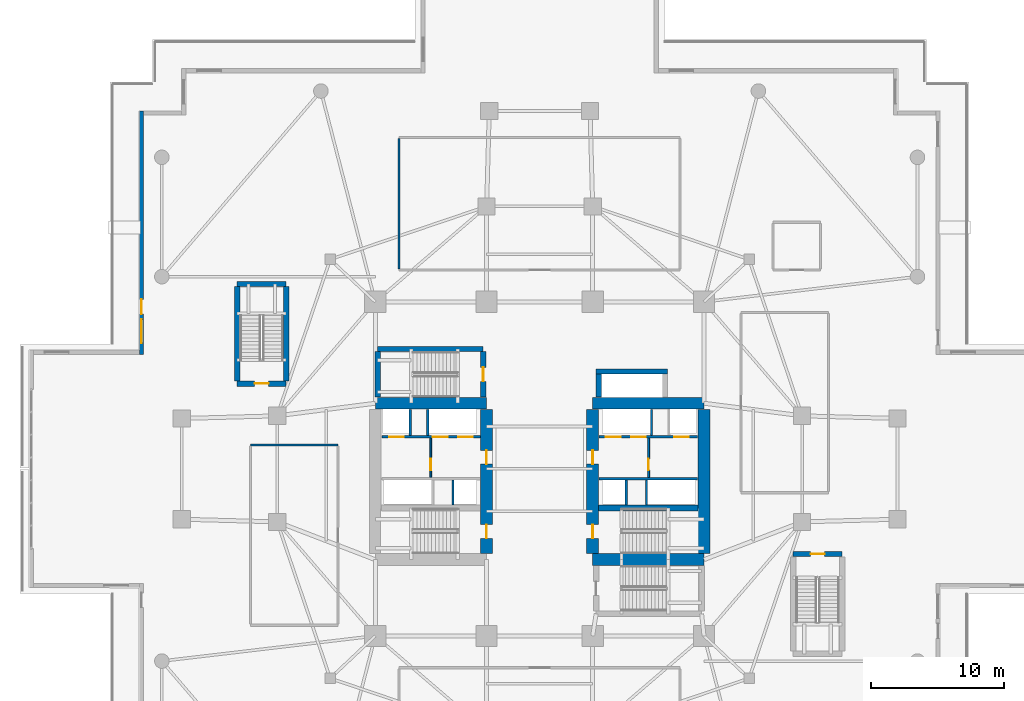
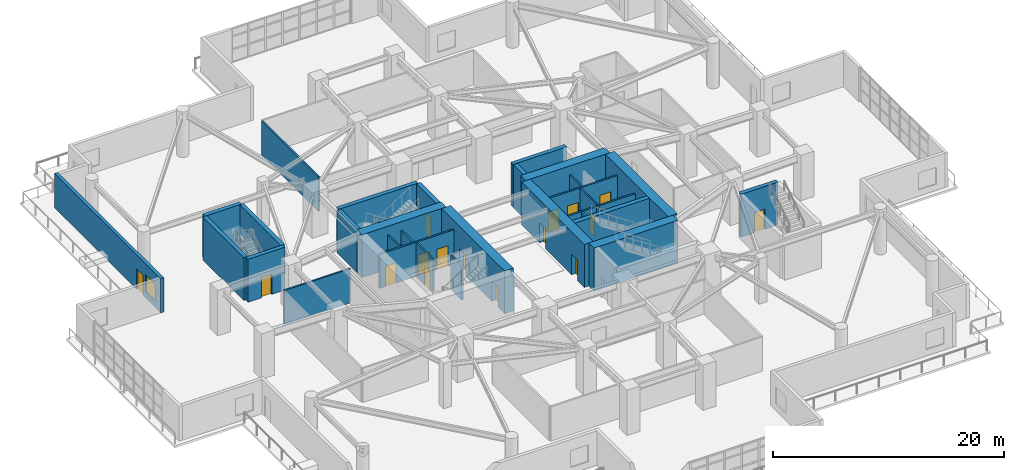
# One storey, part 14 of 23: 31 walls, 16 doors, 1 window, 17 openings.
"""IFC4 building model written with IfcOpenShell, lengths in metres."""

from ifc_helpers import new_model, si_unit, direction, frame, frame_2d, origin, place, context, subcontext, project, spatial, rectangle, extrude, material, layer, layer_set, type_object, element, fill, save


model = new_model("IFC4")

# Units and contexts
model_context = context("Model", 3, precision=1e-05, world=origin(), true_north=direction((0.0, 1.0)))
body_context = subcontext(model_context, "Body", "Model", "MODEL_VIEW")
ifc_project = project(units=[si_unit("LENGTHUNIT", "METRE"), si_unit("AREAUNIT", "SQUARE_METRE"), si_unit("VOLUMEUNIT", "CUBIC_METRE"), si_unit("PLANEANGLEUNIT", "RADIAN"), si_unit("MASSUNIT", "GRAM", prefix="KILO")], contexts=[model_context])

# Site, building, storey
site_placement = place(None, origin())
site = spatial("IfcSite", under=ifc_project, at=site_placement, CompositionType="ELEMENT")
building_placement = place(site_placement, origin())
building = spatial("IfcBuilding", under=site, at=building_placement, Name="Qingluan Cross Belvedere", CompositionType="ELEMENT")
storey_placement = place(building_placement, frame((0.0, 0.0, 5.39990234375)))
storey = spatial("IfcBuildingStorey", under=building, at=storey_placement, Name="L02", CompositionType="ELEMENT", Elevation=5.39990234375)

# Walls
ifc_material_1 = material(Name="Concrete C50", Category="concrete")
ifc_layer_1 = layer(ifc_material_1, 0.449951171875, Name="CoreShearWall_450")
ifc_layer_set_1 = layer_set([ifc_layer_1], Name="Concrete C50")
wall_type_1 = type_object("IfcWallType", Name="CoreShearWall_450", PredefinedType="SHEAR", material=ifc_layer_set_1)
wall_1_placement = place(storey_placement, frame((4.455078125, -2.9599609375, 0.0), z_axis=(0.0, 0.0, 1.0), x_axis=(1.0, 0.0, 0.0)))
element("IfcWall", 1, at=wall_1_placement, inside=storey, type_object=wall_type_1, Name="Split core E shear wall L02-M", PredefinedType="SHEAR", context=body_context, shape_type="SweptSolid", body=[
    extrude(rectangle(XDim=7.489990234375, YDim=0.449951171875, at=frame_2d((3.7451171875, 0.0))), origin(), (0.0, 0.0, 1.0), 4.550048828125),
])
wall_2_placement = place(storey_placement, frame((-12.219970703125, 9.0400390625, 0.0), z_axis=(0.0, 0.0, 1.0), x_axis=(1.0, 0.0, 0.0)))
element("IfcWall", 2, at=wall_2_placement, inside=storey, type_object=wall_type_1, Name="Stair ST3 structural wall N L02", PredefinedType="SHEAR", context=body_context, shape_type="SweptSolid", body=[
    extrude(rectangle(XDim=7.9599609375, YDim=0.39990234375, at=frame_2d((3.97998046875, 0.0))), origin(), (0.0, 0.0, 1.0), 4.550048828125),
])
wall_3_placement = place(storey_placement, frame((-12.219970703125, 5.405029296875, 0.0), z_axis=(0.0, 0.0, 1.0), x_axis=(0.0, 1.0, 0.0)))
element("IfcWall", 3, at=wall_3_placement, inside=storey, type_object=wall_type_1, Name="Stair ST3 structural wall W L02", PredefinedType="SHEAR", context=body_context, shape_type="SweptSolid", body=[
    extrude(rectangle(XDim=3.429931640625, YDim=0.39990234375, at=frame_2d((1.71484375, 0.0))), origin(), (0.0, 0.0, 1.0), 4.550048828125),
])

# Wall, opening, door
wall_4_placement = place(storey_placement, frame((-4.260009765625, 5.405029296875, 0.0), z_axis=(0.0, 0.0, 1.0), x_axis=(0.0, 1.0, 0.0)))
wall_4 = element("IfcWall", 4, at=wall_4_placement, inside=storey, type_object=wall_type_1, Name="Stair ST3 structural wall E L02", PredefinedType="SHEAR", context=body_context, shape_type="SweptSolid", body=[
    extrude(rectangle(XDim=3.429931640625, YDim=0.39990234375, at=frame_2d((1.71484375, 0.0))), origin(), (0.0, 0.0, 1.0), 4.550048828125),
])
opening_1_placement = place(wall_4_placement, frame((1.195068359375, 0.0, 0.0)))
opening_1 = element("IfcOpeningElement", 5, at=opening_1_placement, cuts=wall_4, Name="Opening FD-B11", PredefinedType="OPENING", context=body_context, shape_type="SweptSolid", body=[
    extrude(rectangle(XDim=1.050048828125, YDim=2.14990234375, at=frame_2d((0.52490234375, 1.074951171875))), frame((0.0, 0.2099609375, 0.0), z_axis=(0.0, -1.0, 0.0), x_axis=(1.0, 0.0, 0.0)), (0.0, 0.0, 1.0), 0.419921875),
])
ifc_material_2 = material(Name="Steel Class B smoke-seal fire door", Category="steel")
door_type_1 = type_object("IfcDoorType", Name="StairLobbyFireDoor_FDB", OperationType="NOTDEFINED", PredefinedType="DOOR", material=ifc_material_2)
door_1_placement = place(opening_1_placement, origin())
door_1 = element("IfcDoor", 6, at=door_1_placement, inside=storey, type_object=door_type_1, Name="Smoke-proof stair ST3 fire door L02", OperationType="SINGLE_SWING_RIGHT", OverallHeight=2.14990234375, OverallWidth=1.050048828125, PredefinedType="DOOR", context=body_context, shape_type="SweptSolid", body=[
    extrude(rectangle(XDim=1.050048828125, YDim=2.14990234375, at=frame_2d((0.52490234375, 1.074951171875))), frame((0.0, 0.02490234375, 0.0), z_axis=(0.0, -1.0, 0.0), x_axis=(1.0, 0.0, 0.0)), (0.0, 0.0, 1.0), 0.050048828125),
])
fill(opening_1, door_1)

# Wall
wall_5_placement = place(storey_placement, frame((-22.820068359375, 13.949951171875, 0.0), z_axis=(0.0, 0.0, 1.0), x_axis=(1.0, 0.0, 0.0)))
element("IfcWall", 7, at=wall_5_placement, inside=storey, type_object=wall_type_1, Name="Stair ST5 structural wall N L02", PredefinedType="SHEAR", context=body_context, shape_type="SweptSolid", body=[
    extrude(rectangle(XDim=3.699951171875, YDim=0.39990234375, at=frame_2d((1.85009765625, 0.0))), origin(), (0.0, 0.0, 1.0), 4.550048828125),
])

# Wall, opening, door
wall_6_placement = place(storey_placement, frame((-22.820068359375, 6.429931640625, 0.0), z_axis=(0.0, 0.0, 1.0), x_axis=(1.0, 0.0, 0.0)))
wall_6 = element("IfcWall", 8, at=wall_6_placement, inside=storey, type_object=wall_type_1, Name="Stair ST5 structural wall S L02", PredefinedType="SHEAR", context=body_context, shape_type="SweptSolid", body=[
    extrude(rectangle(XDim=3.699951171875, YDim=0.39990234375, at=frame_2d((1.85009765625, 0.0))), origin(), (0.0, 0.0, 1.0), 4.550048828125),
])
opening_2_placement = place(wall_6_placement, frame((1.320068359375, 0.0, 0.0)))
opening_2 = element("IfcOpeningElement", 9, at=opening_2_placement, cuts=wall_6, Name="Opening FD-B11", PredefinedType="OPENING", context=body_context, shape_type="SweptSolid", body=[
    extrude(rectangle(XDim=1.050048828125, YDim=2.14990234375, at=frame_2d((0.52490234375, 1.074951171875))), frame((0.0, 0.2099609375, 0.0), z_axis=(0.0, -1.0, 0.0), x_axis=(1.0, 0.0, 0.0)), (0.0, 0.0, 1.0), 0.419921875),
])
door_2_placement = place(opening_2_placement, origin())
door_2 = element("IfcDoor", 10, at=door_2_placement, inside=storey, type_object=door_type_1, Name="Podium stair ST5 smoke-proof fire door L02", OperationType="SINGLE_SWING_RIGHT", OverallHeight=2.14990234375, OverallWidth=1.050048828125, PredefinedType="DOOR", context=body_context, shape_type="SweptSolid", body=[
    extrude(rectangle(XDim=1.050048828125, YDim=2.14990234375, at=frame_2d((0.52490234375, 1.074951171875))), frame((0.0, 0.02490234375, 0.0), z_axis=(0.0, -1.0, 0.0), x_axis=(1.0, 0.0, 0.0)), (0.0, 0.0, 1.0), 0.050048828125),
])
fill(opening_2, door_2)

# Walls
for number, where, z_axis, x_axis, name in (
    (11, (-22.820068359375, 6.635009765625, 0.0), (0.0, 0.0, 1.0), (0.0, 1.0, 0.0), "Stair ST5 structural wall W L02"),
    (12, (-19.1201171875, 6.635009765625, 0.0), (0.0, 0.0, 1.0), (0.0, 1.0, 0.0), "Stair ST5 structural wall E L02"),
):
    element("IfcWall", number, at=place(storey_placement, frame(where, z_axis=z_axis, x_axis=x_axis)), inside=storey, type_object=wall_type_1, Name=name, PredefinedType="SHEAR", context=body_context, shape_type="SweptSolid", body=[
        extrude(rectangle(XDim=7.110107421875, YDim=0.39990234375, at=frame_2d((3.55517578125, 0.0))), origin(), (0.0, 0.0, 1.0), 4.550048828125),
    ])

# Wall, opening, door
wall_7_placement = place(storey_placement, frame((19.1201171875, -6.429931640625, 0.0), z_axis=(0.0, 0.0, 1.0), x_axis=(1.0, 0.0, 0.0)))
wall_7 = element("IfcWall", 13, at=wall_7_placement, inside=storey, type_object=wall_type_1, Name="Stair ST6 structural wall N L02", PredefinedType="SHEAR", context=body_context, shape_type="SweptSolid", body=[
    extrude(rectangle(XDim=3.699951171875, YDim=0.39990234375, at=frame_2d((1.85009765625, 0.0))), origin(), (0.0, 0.0, 1.0), 4.550048828125),
])
opening_3_placement = place(wall_7_placement, frame((1.330078125, 0.0, 0.0)))
opening_3 = element("IfcOpeningElement", 14, at=opening_3_placement, cuts=wall_7, Name="Opening FD-B11", PredefinedType="OPENING", context=body_context, shape_type="SweptSolid", body=[
    extrude(rectangle(XDim=1.050048828125, YDim=2.14990234375, at=frame_2d((0.52490234375, 1.074951171875))), frame((0.0, 0.2099609375, 0.0), z_axis=(0.0, -1.0, 0.0), x_axis=(1.0, 0.0, 0.0)), (0.0, 0.0, 1.0), 0.419921875),
])
door_3_placement = place(opening_3_placement, origin())
door_3 = element("IfcDoor", 15, at=door_3_placement, inside=storey, type_object=door_type_1, Name="Podium stair ST6 smoke-proof fire door L02", OperationType="SINGLE_SWING_LEFT", OverallHeight=2.14990234375, OverallWidth=1.050048828125, PredefinedType="DOOR", context=body_context, shape_type="SweptSolid", body=[
    extrude(rectangle(XDim=1.050048828125, YDim=2.14990234375, at=frame_2d((0.52490234375, 1.074951171875))), frame((0.0, 0.02490234375, 0.0), z_axis=(0.0, -1.0, 0.0), x_axis=(1.0, 0.0, 0.0)), (0.0, 0.0, 1.0), 0.050048828125),
])
fill(opening_3, door_3)

# Walls
wall_8_placement = place(storey_placement, frame((4.449951171875, 5.405029296875, 0.0), z_axis=(0.0, 0.0, 1.0), x_axis=(0.0, 1.0, 0.0)))
element("IfcWall", 16, at=wall_8_placement, inside=storey, type_object=wall_type_1, Name="Express shuttle core wall L02-W", PredefinedType="SHEAR", context=body_context, shape_type="SweptSolid", body=[
    extrude(rectangle(XDim=1.73486328125, YDim=0.39990234375, at=frame_2d((0.867431640625, 0.0))), origin(), (0.0, 0.0, 1.0), 4.550048828125),
])
wall_9_placement = place(storey_placement, frame((4.25, 7.35009765625, 0.0), z_axis=(0.0, 0.0, 1.0), x_axis=(1.0, 0.0, 0.0)))
element("IfcWall", 17, at=wall_9_placement, inside=storey, type_object=wall_type_1, Name="Express shuttle core wall L02-N", PredefinedType="SHEAR", context=body_context, shape_type="SweptSolid", body=[
    extrude(rectangle(XDim=5.39990234375, YDim=0.39990234375, at=frame_2d((2.699951171875, 0.0))), origin(), (0.0, 0.0, 1.0), 4.550048828125),
])
ifc_material_3 = material(Name="Concrete C70", Category="concrete")
ifc_layer_2 = layer(ifc_material_3, 0.89990234375, Name="CoreShearWall_900")
ifc_layer_set_2 = layer_set([ifc_layer_2], Name="Concrete C70")
wall_type_2 = type_object("IfcWallType", Name="CoreShearWall_900", PredefinedType="SHEAR", material=ifc_layer_set_2)
wall_10_placement = place(storey_placement, frame((-12.39990234375, 4.949951171875, 0.0), z_axis=(0.0, 0.0, 1.0), x_axis=(1.0, 0.0, 0.0)))
element("IfcWall", 18, at=wall_10_placement, inside=storey, type_object=wall_type_2, Name="Split core W shear wall L02-N", PredefinedType="SHEAR", context=body_context, shape_type="SweptSolid", body=[
    extrude(rectangle(XDim=8.39990234375, YDim=0.89990234375, at=frame_2d((4.199951171875, 0.0))), origin(), (0.0, 0.0, 1.0), 4.550048828125),
])

# Wall, openings, doors
wall_11_placement = place(storey_placement, frame((-4.0, -6.39501953125, 0.0), z_axis=(0.0, 0.0, 1.0), x_axis=(0.0, 1.0, 0.0)))
wall_11 = element("IfcWall", 19, at=wall_11_placement, inside=storey, type_object=wall_type_2, Name="Split core W shear wall L02-E", PredefinedType="SHEAR", context=body_context, shape_type="SweptSolid", body=[
    extrude(rectangle(XDim=10.89013671875, YDim=0.89990234375, at=frame_2d((5.445068359375, 0.0))), origin(), (0.0, 0.0, 1.0), 4.550048828125),
])
opening_4_placement = place(wall_11_placement, frame((1.14501953125, 0.0, 0.0)))
opening_4 = element("IfcOpeningElement", 20, at=opening_4_placement, cuts=wall_11, Name="Opening FD-B11", PredefinedType="OPENING", context=body_context, shape_type="SweptSolid", body=[
    extrude(rectangle(XDim=1.050048828125, YDim=2.14990234375, at=frame_2d((0.52490234375, 1.074951171875))), frame((0.0, 0.4599609375, 0.0), z_axis=(0.0, -1.0, 0.0), x_axis=(1.0, 0.0, 0.0)), (0.0, 0.0, 1.0), 0.919921875),
])
opening_5_placement = place(wall_11_placement, frame((6.7451171875, 0.0, 0.0)))
opening_5 = element("IfcOpeningElement", 21, at=opening_5_placement, cuts=wall_11, Name="Opening FD-B11", PredefinedType="OPENING", context=body_context, shape_type="SweptSolid", body=[
    extrude(rectangle(XDim=1.050048828125, YDim=2.14990234375, at=frame_2d((0.52490234375, 1.074951171875))), frame((0.0, 0.4599609375, 0.0), z_axis=(0.0, -1.0, 0.0), x_axis=(1.0, 0.0, 0.0)), (0.0, 0.0, 1.0), 0.919921875),
])
door_4_placement = place(opening_4_placement, origin())
door_4 = element("IfcDoor", 22, at=door_4_placement, inside=storey, type_object=door_type_1, Name="Smoke-proof stair ST1 fire door L02", OperationType="SINGLE_SWING_RIGHT", OverallHeight=2.14990234375, OverallWidth=1.050048828125, PredefinedType="DOOR", context=body_context, shape_type="SweptSolid", body=[
    extrude(rectangle(XDim=1.050048828125, YDim=2.14990234375, at=frame_2d((0.52490234375, 1.074951171875))), frame((0.0, 0.02490234375, 0.0), z_axis=(0.0, -1.0, 0.0), x_axis=(1.0, 0.0, 0.0)), (0.0, 0.0, 1.0), 0.050048828125),
])
fill(opening_4, door_4)
door_5_placement = place(opening_5_placement, origin())
door_5 = element("IfcDoor", 23, at=door_5_placement, inside=storey, type_object=door_type_1, Name="Firefighting lobby West fire door L02", OperationType="SINGLE_SWING_RIGHT", OverallHeight=2.14990234375, OverallWidth=1.050048828125, PredefinedType="DOOR", context=body_context, shape_type="SweptSolid", body=[
    extrude(rectangle(XDim=1.050048828125, YDim=2.14990234375, at=frame_2d((0.52490234375, 1.074951171875))), frame((0.0, 0.02490234375, 0.0), z_axis=(0.0, -1.0, 0.0), x_axis=(1.0, 0.0, 0.0)), (0.0, 0.0, 1.0), 0.050048828125),
])
fill(opening_5, door_5)

# Walls
for number, where, z_axis, x_axis, name in (
    (24, (4.0, -6.85009765625, 0.0), (0.0, 0.0, 1.0), (1.0, 0.0, 0.0), "Split core E shear wall L02-S"),
    (25, (4.0, 4.949951171875, 0.0), (0.0, 0.0, 1.0), (1.0, 0.0, 0.0), "Split core E shear wall L02-N"),
):
    element("IfcWall", number, at=place(storey_placement, frame(where, z_axis=z_axis, x_axis=x_axis)), inside=storey, type_object=wall_type_2, Name=name, PredefinedType="SHEAR", context=body_context, shape_type="SweptSolid", body=[
        extrude(rectangle(XDim=8.39990234375, YDim=0.89990234375, at=frame_2d((4.199951171875, 0.0))), origin(), (0.0, 0.0, 1.0), 4.550048828125),
    ])

# Wall, openings, doors
wall_12_placement = place(storey_placement, frame((4.0, -6.39501953125, 0.0), z_axis=(0.0, 0.0, 1.0), x_axis=(0.0, 1.0, 0.0)))
wall_12 = element("IfcWall", 26, at=wall_12_placement, inside=storey, type_object=wall_type_2, Name="Split core E shear wall L02-W", PredefinedType="SHEAR", context=body_context, shape_type="SweptSolid", body=[
    extrude(rectangle(XDim=10.89013671875, YDim=0.89990234375, at=frame_2d((5.445068359375, 0.0))), origin(), (0.0, 0.0, 1.0), 4.550048828125),
])
opening_6_placement = place(wall_12_placement, frame((1.14501953125, 0.0, 0.0)))
opening_6 = element("IfcOpeningElement", 27, at=opening_6_placement, cuts=wall_12, Name="Opening FD-B11", PredefinedType="OPENING", context=body_context, shape_type="SweptSolid", body=[
    extrude(rectangle(XDim=1.050048828125, YDim=2.14990234375, at=frame_2d((0.52490234375, 1.074951171875))), frame((0.0, 0.4599609375, 0.0), z_axis=(0.0, -1.0, 0.0), x_axis=(1.0, 0.0, 0.0)), (0.0, 0.0, 1.0), 0.919921875),
])
opening_7_placement = place(wall_12_placement, frame((6.7451171875, 0.0, 0.0)))
opening_7 = element("IfcOpeningElement", 28, at=opening_7_placement, cuts=wall_12, Name="Opening FD-B11", PredefinedType="OPENING", context=body_context, shape_type="SweptSolid", body=[
    extrude(rectangle(XDim=1.050048828125, YDim=2.14990234375, at=frame_2d((0.52490234375, 1.074951171875))), frame((0.0, 0.4599609375, 0.0), z_axis=(0.0, -1.0, 0.0), x_axis=(1.0, 0.0, 0.0)), (0.0, 0.0, 1.0), 0.919921875),
])
door_6_placement = place(opening_6_placement, origin())
door_6 = element("IfcDoor", 29, at=door_6_placement, inside=storey, type_object=door_type_1, Name="Smoke-proof stair ST2 fire door L02", OperationType="SINGLE_SWING_LEFT", OverallHeight=2.14990234375, OverallWidth=1.050048828125, PredefinedType="DOOR", context=body_context, shape_type="SweptSolid", body=[
    extrude(rectangle(XDim=1.050048828125, YDim=2.14990234375, at=frame_2d((0.52490234375, 1.074951171875))), frame((0.0, 0.02490234375, 0.0), z_axis=(0.0, -1.0, 0.0), x_axis=(1.0, 0.0, 0.0)), (0.0, 0.0, 1.0), 0.050048828125),
])
fill(opening_6, door_6)
door_7_placement = place(opening_7_placement, origin())
door_7 = element("IfcDoor", 30, at=door_7_placement, inside=storey, type_object=door_type_1, Name="Firefighting lobby East fire door L02", OperationType="SINGLE_SWING_LEFT", OverallHeight=2.14990234375, OverallWidth=1.050048828125, PredefinedType="DOOR", context=body_context, shape_type="SweptSolid", body=[
    extrude(rectangle(XDim=1.050048828125, YDim=2.14990234375, at=frame_2d((0.52490234375, 1.074951171875))), frame((0.0, 0.02490234375, 0.0), z_axis=(0.0, -1.0, 0.0), x_axis=(1.0, 0.0, 0.0)), (0.0, 0.0, 1.0), 0.050048828125),
])
fill(opening_7, door_7)

# Walls
wall_13_placement = place(storey_placement, frame((12.39990234375, -6.39501953125, 0.0), z_axis=(0.0, 0.0, 1.0), x_axis=(0.0, 1.0, 0.0)))
element("IfcWall", 31, at=wall_13_placement, inside=storey, type_object=wall_type_2, Name="Split core E shear wall L02-E", PredefinedType="SHEAR", context=body_context, shape_type="SweptSolid", body=[
    extrude(rectangle(XDim=10.89013671875, YDim=0.89990234375, at=frame_2d((5.445068359375, 0.0))), origin(), (0.0, 0.0, 1.0), 4.550048828125),
])
ifc_material_4 = material(Name="Gypsum plasterboard on steel stud acoustic partition", Category="steel")
ifc_layer_3 = layer(ifc_material_4, 0.159912109375, Name="CorridorPartition_160")
ifc_layer_set_3 = layer_set([ifc_layer_3], Name="Gypsum plasterboard on steel stud acoustic partition")
wall_type_3 = type_object("IfcWallType", Name="CorridorPartition_160", PredefinedType="PARTITIONING", material=ifc_layer_set_3)
wall_14_placement = place(storey_placement, frame((-10.60009765625, 15.0849609375, 0.0), z_axis=(0.0, 0.0, 1.0), x_axis=(0.0, 1.0, 0.0)))
element("IfcWall", 32, at=wall_14_placement, inside=storey, type_object=wall_type_3, Name="Partition L02:pod_n:W", PredefinedType="PARTITIONING", context=body_context, shape_type="SweptSolid", body=[
    extrude(rectangle(XDim=9.830078125, YDim=0.159912109375, at=frame_2d((4.9150390625, 0.0))), origin(), (0.0, 0.0, 1.0), 3.6201171875),
])
wall_15_placement = place(storey_placement, frame((-21.800048828125, 1.800048828125, 0.0), z_axis=(0.0, 0.0, 1.0), x_axis=(1.0, 0.0, 0.0)))
element("IfcWall", 33, at=wall_15_placement, inside=storey, type_object=wall_type_3, Name="Partition L02:pod_w:N", PredefinedType="PARTITIONING", context=body_context, shape_type="SweptSolid", body=[
    extrude(rectangle(XDim=6.60009765625, YDim=0.159912109375, at=frame_2d((3.300048828125, 0.0))), origin(), (0.0, 0.0, 1.0), 3.6201171875),
])

# Wall, openings, window, door
ifc_material_5 = material(Name="Precast concrete C45", Category="concrete")
ifc_layer_4 = layer(ifc_material_5, 0.320068359375, Name="PrecastPodiumWall_320")
ifc_layer_set_4 = layer_set([ifc_layer_4], Name="Precast concrete C45")
wall_type_4 = type_object("IfcWallType", Name="PrecastPodiumWall_320", PredefinedType="STANDARD", material=ifc_layer_set_4)
wall_16_placement = place(storey_placement, frame((-30.0400390625, 8.6298828125, 0.0), z_axis=(0.0, 0.0, 1.0), x_axis=(0.0, 1.0, 0.0)))
wall_16 = element("IfcWall", 34, at=wall_16_placement, inside=storey, type_object=wall_type_4, Name="Podium precast facade wall L02-S14", PredefinedType="STANDARD", context=body_context, shape_type="SweptSolid", body=[
    extrude(rectangle(XDim=18.3701171875, YDim=0.320068359375, at=frame_2d((9.18505859375, 0.0))), origin(), (0.0, 0.0, 1.0), 3.630126953125),
])
opening_8_placement = place(wall_16_placement, frame((0.85009765625, 0.0, 0.64990234375)))
opening_8 = element("IfcOpeningElement", 35, at=opening_8_placement, cuts=wall_16, Name="Opening W-06", PredefinedType="OPENING", context=body_context, shape_type="SweptSolid", body=[
    extrude(rectangle(XDim=1.800048828125, YDim=1.800048828125, at=frame_2d((0.89990234375, 0.89990234375))), frame((0.0, 0.169921875, 0.0), z_axis=(0.0, -1.0, 0.0), x_axis=(1.0, 0.0, 0.0)), (0.0, 0.0, 1.0), 0.340087890625),
])
opening_9_placement = place(wall_16_placement, frame((3.050048828125, 0.0, 0.0)))
opening_9 = element("IfcOpeningElement", 36, at=opening_9_placement, cuts=wall_16, Name="Opening TD-11", PredefinedType="OPENING", context=body_context, shape_type="SweptSolid", body=[
    extrude(rectangle(XDim=1.10009765625, YDim=2.14990234375, at=frame_2d((0.550048828125, 1.074951171875))), frame((0.0, 0.169921875, 0.0), z_axis=(0.0, -1.0, 0.0), x_axis=(1.0, 0.0, 0.0)), (0.0, 0.0, 1.0), 0.340087890625),
])
ifc_material_6 = material(Name="Thermally broken triple Low-E glass in aluminium frame", Category="aluminium")
window_type = type_object("IfcWindowType", Name="PodiumGalleryWin_1800x1800", PartitioningType="SINGLE_PANEL", PredefinedType="WINDOW", material=ifc_material_6)
window_placement = place(opening_8_placement, origin())
window = element("IfcWindow", 37, at=window_placement, inside=storey, type_object=window_type, Name="Podium gallery window L02-S14", OverallHeight=1.800048828125, OverallWidth=1.800048828125, PartitioningType="SINGLE_PANEL", PredefinedType="WINDOW", context=body_context, shape_type="SweptSolid", body=[
    extrude(rectangle(XDim=1.800048828125, YDim=1.800048828125, at=frame_2d((0.89990234375, 0.89990234375))), frame((0.0, 0.030029296875, 0.0), z_axis=(0.0, -1.0, 0.0), x_axis=(1.0, 0.0, 0.0)), (0.0, 0.0, 1.0), 0.06005859375),
])
fill(opening_8, window)
ifc_material_7 = material(Name="Thermally broken aluminium and Low-E glass", Category="aluminium")
door_type_2 = type_object("IfcDoorType", Name="TerraceGlazedDoor_1100", OperationType="NOTDEFINED", PredefinedType="DOOR", material=ifc_material_7)
door_8_placement = place(opening_9_placement, origin())
door_8 = element("IfcDoor", 38, at=door_8_placement, inside=storey, type_object=door_type_2, Name="Cascade terrace door L02-2", OperationType="SINGLE_SWING_LEFT", OverallHeight=2.14990234375, OverallWidth=1.10009765625, PredefinedType="DOOR", context=body_context, shape_type="SweptSolid", body=[
    extrude(rectangle(XDim=1.10009765625, YDim=2.14990234375, at=frame_2d((0.550048828125, 1.074951171875))), frame((0.0, 0.02490234375, 0.0), z_axis=(0.0, -1.0, 0.0), x_axis=(1.0, 0.0, 0.0)), (0.0, 0.0, 1.0), 0.050048828125),
])
fill(opening_9, door_8)

# Wall, openings, doors
ifc_material_8 = material(Name="Concrete C40", Category="concrete")
ifc_layer_5 = layer(ifc_material_8, 0.219970703125, Name="ShaftEnclosureWall_250")
ifc_layer_set_5 = layer_set([ifc_layer_5], Name="Concrete C40")
wall_type_5 = type_object("IfcWallType", Name="ShaftEnclosureWall_250", PredefinedType="SOLIDWALL", material=ifc_layer_set_5)
wall_17_placement = place(storey_placement, frame((-11.89990234375, 2.409912109375, 0.0), z_axis=(0.0, 0.0, 1.0), x_axis=(1.0, 0.0, 0.0)))
wall_17 = element("IfcWall", 39, at=wall_17_placement, inside=storey, type_object=wall_type_5, Name="Core-W north hoistway wall L02", PredefinedType="SOLIDWALL", context=body_context, shape_type="SweptSolid", body=[
    extrude(rectangle(XDim=7.419921875, YDim=0.179931640625, at=frame_2d((3.7099609375, 0.0))), origin(), (0.0, 0.0, 1.0), 3.6201171875),
])
opening_10_placement = place(wall_17_placement, frame((0.550048828125, 0.0, 0.0)))
opening_10 = element("IfcOpeningElement", 40, at=opening_10_placement, cuts=wall_17, Name="Opening LD-11", PredefinedType="OPENING", context=body_context, shape_type="SweptSolid", body=[
    extrude(rectangle(XDim=1.10009765625, YDim=2.14990234375, at=frame_2d((0.550048828125, 1.074951171875))), frame((0.0, 0.099853515625, 0.0), z_axis=(0.0, -1.0, 0.0), x_axis=(1.0, 0.0, 0.0)), (0.0, 0.0, 1.0), 0.199951171875),
])
opening_11_placement = place(wall_17_placement, frame((3.85009765625, 0.0, 0.0)))
opening_11 = element("IfcOpeningElement", 41, at=opening_11_placement, cuts=wall_17, Name="Opening LD-11", PredefinedType="OPENING", context=body_context, shape_type="SweptSolid", body=[
    extrude(rectangle(XDim=1.10009765625, YDim=2.14990234375, at=frame_2d((0.550048828125, 1.074951171875))), frame((0.0, 0.099853515625, 0.0), z_axis=(0.0, -1.0, 0.0), x_axis=(1.0, 0.0, 0.0)), (0.0, 0.0, 1.0), 0.199951171875),
])
opening_12_placement = place(wall_17_placement, frame((5.75, 0.0, 0.0)))
opening_12 = element("IfcOpeningElement", 42, at=opening_12_placement, cuts=wall_17, Name="Opening LD-11", PredefinedType="OPENING", context=body_context, shape_type="SweptSolid", body=[
    extrude(rectangle(XDim=1.10009765625, YDim=2.14990234375, at=frame_2d((0.550048828125, 1.074951171875))), frame((0.0, 0.099853515625, 0.0), z_axis=(0.0, -1.0, 0.0), x_axis=(1.0, 0.0, 0.0)), (0.0, 0.0, 1.0), 0.199951171875),
])
ifc_material_9 = material(Name="Brushed stainless steel centre-opening lift landing door", Category="steel")
door_type_3 = type_object("IfcDoorType", Name="LiftLandingSlidingDoor_1100", OperationType="DOUBLE_DOOR_SLIDING", PredefinedType="DOOR", material=ifc_material_9)
door_9_placement = place(opening_10_placement, origin())
door_9 = element("IfcDoor", 43, at=door_9_placement, inside=storey, type_object=door_type_3, Name="Lift landing sliding door FL1 L02", OperationType="DOUBLE_DOOR_SLIDING", OverallHeight=2.14990234375, OverallWidth=1.10009765625, PredefinedType="DOOR", context=body_context, shape_type="SweptSolid", body=[
    extrude(rectangle(XDim=1.10009765625, YDim=2.14990234375, at=frame_2d((0.550048828125, 1.074951171875))), frame((0.0, 0.02490234375, 0.0), z_axis=(0.0, -1.0, 0.0), x_axis=(1.0, 0.0, 0.0)), (0.0, 0.0, 1.0), 0.050048828125),
])
fill(opening_10, door_9)
door_10_placement = place(opening_11_placement, origin())
door_10 = element("IfcDoor", 44, at=door_10_placement, inside=storey, type_object=door_type_3, Name="Lift landing sliding door LP1 L02", OperationType="DOUBLE_DOOR_SLIDING", OverallHeight=2.14990234375, OverallWidth=1.10009765625, PredefinedType="DOOR", context=body_context, shape_type="SweptSolid", body=[
    extrude(rectangle(XDim=1.10009765625, YDim=2.14990234375, at=frame_2d((0.550048828125, 1.074951171875))), frame((0.0, 0.02490234375, 0.0), z_axis=(0.0, -1.0, 0.0), x_axis=(1.0, 0.0, 0.0)), (0.0, 0.0, 1.0), 0.050048828125),
])
fill(opening_11, door_10)
door_11_placement = place(opening_12_placement, origin())
door_11 = element("IfcDoor", 45, at=door_11_placement, inside=storey, type_object=door_type_3, Name="Lift landing sliding door LP2 L02", OperationType="DOUBLE_DOOR_SLIDING", OverallHeight=2.14990234375, OverallWidth=1.10009765625, PredefinedType="DOOR", context=body_context, shape_type="SweptSolid", body=[
    extrude(rectangle(XDim=1.10009765625, YDim=2.14990234375, at=frame_2d((0.550048828125, 1.074951171875))), frame((0.0, 0.02490234375, 0.0), z_axis=(0.0, -1.0, 0.0), x_axis=(1.0, 0.0, 0.0)), (0.0, 0.0, 1.0), 0.050048828125),
])
fill(opening_12, door_11)

wall_18_placement = place(storey_placement, frame((4.47998046875, 2.409912109375, 0.0), z_axis=(0.0, 0.0, 1.0), x_axis=(1.0, 0.0, 0.0)))
wall_18 = element("IfcWall", 46, at=wall_18_placement, inside=storey, type_object=wall_type_5, Name="Core-E north hoistway wall L02", PredefinedType="SOLIDWALL", context=body_context, shape_type="SweptSolid", body=[
    extrude(rectangle(XDim=7.419921875, YDim=0.179931640625, at=frame_2d((3.7099609375, 0.0))), origin(), (0.0, 0.0, 1.0), 3.6201171875),
])
opening_13_placement = place(wall_18_placement, frame((5.669921875, 0.0, 0.0)))
opening_13 = element("IfcOpeningElement", 47, at=opening_13_placement, cuts=wall_18, Name="Opening LD-11", PredefinedType="OPENING", context=body_context, shape_type="SweptSolid", body=[
    extrude(rectangle(XDim=1.10009765625, YDim=2.14990234375, at=frame_2d((0.550048828125, 1.074951171875))), frame((0.0, 0.099853515625, 0.0), z_axis=(0.0, -1.0, 0.0), x_axis=(1.0, 0.0, 0.0)), (0.0, 0.0, 1.0), 0.199951171875),
])
opening_14_placement = place(wall_18_placement, frame((0.52001953125, 0.0, 0.0)))
opening_14 = element("IfcOpeningElement", 48, at=opening_14_placement, cuts=wall_18, Name="Opening LD-11", PredefinedType="OPENING", context=body_context, shape_type="SweptSolid", body=[
    extrude(rectangle(XDim=1.10009765625, YDim=2.14990234375, at=frame_2d((0.550048828125, 1.074951171875))), frame((0.0, 0.099853515625, 0.0), z_axis=(0.0, -1.0, 0.0), x_axis=(1.0, 0.0, 0.0)), (0.0, 0.0, 1.0), 0.199951171875),
])
opening_15_placement = place(wall_18_placement, frame((2.419921875, 0.0, 0.0)))
opening_15 = element("IfcOpeningElement", 49, at=opening_15_placement, cuts=wall_18, Name="Opening LD-11", PredefinedType="OPENING", context=body_context, shape_type="SweptSolid", body=[
    extrude(rectangle(XDim=1.10009765625, YDim=2.14990234375, at=frame_2d((0.550048828125, 1.074951171875))), frame((0.0, 0.099853515625, 0.0), z_axis=(0.0, -1.0, 0.0), x_axis=(1.0, 0.0, 0.0)), (0.0, 0.0, 1.0), 0.199951171875),
])
door_12_placement = place(opening_13_placement, origin())
door_12 = element("IfcDoor", 50, at=door_12_placement, inside=storey, type_object=door_type_3, Name="Lift landing sliding door FL2 L02", OperationType="DOUBLE_DOOR_SLIDING", OverallHeight=2.14990234375, OverallWidth=1.10009765625, PredefinedType="DOOR", context=body_context, shape_type="SweptSolid", body=[
    extrude(rectangle(XDim=1.10009765625, YDim=2.14990234375, at=frame_2d((0.550048828125, 1.074951171875))), frame((0.0, 0.02490234375, 0.0), z_axis=(0.0, -1.0, 0.0), x_axis=(1.0, 0.0, 0.0)), (0.0, 0.0, 1.0), 0.050048828125),
])
fill(opening_13, door_12)
door_13_placement = place(opening_14_placement, origin())
door_13 = element("IfcDoor", 51, at=door_13_placement, inside=storey, type_object=door_type_3, Name="Lift landing sliding door LP3 L02", OperationType="DOUBLE_DOOR_SLIDING", OverallHeight=2.14990234375, OverallWidth=1.10009765625, PredefinedType="DOOR", context=body_context, shape_type="SweptSolid", body=[
    extrude(rectangle(XDim=1.10009765625, YDim=2.14990234375, at=frame_2d((0.550048828125, 1.074951171875))), frame((0.0, 0.02490234375, 0.0), z_axis=(0.0, -1.0, 0.0), x_axis=(1.0, 0.0, 0.0)), (0.0, 0.0, 1.0), 0.050048828125),
])
fill(opening_14, door_13)
door_14_placement = place(opening_15_placement, origin())
door_14 = element("IfcDoor", 52, at=door_14_placement, inside=storey, type_object=door_type_3, Name="Lift landing sliding door LP4 L02", OperationType="DOUBLE_DOOR_SLIDING", OverallHeight=2.14990234375, OverallWidth=1.10009765625, PredefinedType="DOOR", context=body_context, shape_type="SweptSolid", body=[
    extrude(rectangle(XDim=1.10009765625, YDim=2.14990234375, at=frame_2d((0.550048828125, 1.074951171875))), frame((0.0, 0.02490234375, 0.0), z_axis=(0.0, -1.0, 0.0), x_axis=(1.0, 0.0, 0.0)), (0.0, 0.0, 1.0), 0.050048828125),
])
fill(opening_15, door_14)

# Walls
wall_19_placement = place(storey_placement, frame((4.47998046875, -0.75, 0.0), z_axis=(0.0, 0.0, 1.0), x_axis=(1.0, 0.0, 0.0)))
element("IfcWall", 53, at=wall_19_placement, inside=storey, type_object=wall_type_5, Name="Core-E mid hoistway wall L02", PredefinedType="SOLIDWALL", context=body_context, shape_type="SweptSolid", body=[
    extrude(rectangle(XDim=7.419921875, YDim=0.179931640625, at=frame_2d((3.7099609375, 0.0))), origin(), (0.0, 0.0, 1.0), 3.6201171875),
])
for number, where, z_axis, x_axis, name in (
    (54, (-9.760009765625, 2.5, 0.0), (0.0, 0.0, 1.0), (0.0, 1.0, 0.0), "Hoistway enclosure divider FL1E L02"),
    (55, (-8.43994140625, 2.5, 0.0), (0.0, 0.0, 1.0), (0.0, 1.0, 0.0), "Hoistway enclosure divider LP1W L02"),
    (56, (8.43994140625, 2.5, 0.0), (0.0, 0.0, 1.0), (0.0, 1.0, 0.0), "Hoistway enclosure divider LP4E L02"),
):
    element("IfcWall", number, at=place(storey_placement, frame(where, z_axis=z_axis, x_axis=x_axis)), inside=storey, type_object=wall_type_5, Name=name, PredefinedType="SOLIDWALL", context=body_context, shape_type="SweptSolid", body=[
        extrude(rectangle(XDim=1.989990234375, YDim=0.179931640625, at=frame_2d((0.9951171875, 0.0))), origin(), (0.0, 0.0, 1.0), 3.6201171875),
    ])
for number, where, z_axis, x_axis, name in (
    (57, (-6.5400390625, -2.72998046875, 0.0), (0.0, 0.0, 1.0), (0.0, 1.0, 0.0), "Hoistway enclosure divider LP8W L02"),
    (58, (6.5400390625, -2.72998046875, 0.0), (0.0, 0.0, 1.0), (0.0, 1.0, 0.0), "Hoistway enclosure divider LP7E L02"),
    (59, (8.06005859375, -2.72998046875, 0.0), (0.0, 0.0, 1.0), (0.0, 1.0, 0.0), "Hoistway enclosure divider LP9W L02"),
):
    element("IfcWall", number, at=place(storey_placement, frame(where, z_axis=z_axis, x_axis=x_axis)), inside=storey, type_object=wall_type_5, Name=name, PredefinedType="SOLIDWALL", context=body_context, shape_type="SweptSolid", body=[
        extrude(rectangle(XDim=1.889892578125, YDim=0.179931640625, at=frame_2d((0.94482421875, 0.0))), origin(), (0.0, 0.0, 1.0), 3.6201171875),
    ])

# Wall, opening, door
wall_20_placement = place(storey_placement, frame((-8.219970703125, -0.64990234375, 0.0), z_axis=(0.0, 0.0, 1.0), x_axis=(0.0, 1.0, 0.0)))
wall_20 = element("IfcWall", 60, at=wall_20_placement, inside=storey, type_object=wall_type_5, Name="Core-W service corridor wall L02", PredefinedType="SOLIDWALL", context=body_context, shape_type="SweptSolid", body=[
    extrude(rectangle(XDim=2.9599609375, YDim=0.139892578125, at=frame_2d((1.47998046875, 0.0))), origin(), (0.0, 0.0, 1.0), 3.6201171875),
])
opening_16_placement = place(wall_20_placement, frame((0.550048828125, 0.0, 0.0)))
opening_16 = element("IfcOpeningElement", 61, at=opening_16_placement, cuts=wall_20, Name="Opening FD-B10", PredefinedType="OPENING", context=body_context, shape_type="SweptSolid", body=[
    extrude(rectangle(XDim=0.8798828125, YDim=2.10009765625, at=frame_2d((0.43994140625, 1.050048828125))), frame((0.0, 0.079833984375, 0.0), z_axis=(0.0, -1.0, 0.0), x_axis=(1.0, 0.0, 0.0)), (0.0, 0.0, 1.0), 0.159912109375),
])
ifc_material_10 = material(Name="Steel Class B service fire door", Category="steel")
door_type_4 = type_object("IfcDoorType", Name="RiserServiceFireDoor_FDB", OperationType="NOTDEFINED", PredefinedType="DOOR", material=ifc_material_10)
door_15_placement = place(opening_16_placement, origin())
door_15 = element("IfcDoor", 62, at=door_15_placement, inside=storey, type_object=door_type_4, Name="Core-W service room door L02", OperationType="SINGLE_SWING_RIGHT", OverallHeight=2.10009765625, OverallWidth=0.8798828125, PredefinedType="DOOR", context=body_context, shape_type="SweptSolid", body=[
    extrude(rectangle(XDim=0.8798828125, YDim=2.10009765625, at=frame_2d((0.43994140625, 1.050048828125))), frame((0.0, 0.02490234375, 0.0), z_axis=(0.0, -1.0, 0.0), x_axis=(1.0, 0.0, 0.0)), (0.0, 0.0, 1.0), 0.050048828125),
])
fill(opening_16, door_15)

wall_21_placement = place(storey_placement, frame((8.219970703125, -0.64990234375, 0.0), z_axis=(0.0, 0.0, 1.0), x_axis=(0.0, 1.0, 0.0)))
wall_21 = element("IfcWall", 63, at=wall_21_placement, inside=storey, type_object=wall_type_5, Name="Core-E service corridor wall L02", PredefinedType="SOLIDWALL", context=body_context, shape_type="SweptSolid", body=[
    extrude(rectangle(XDim=2.9599609375, YDim=0.139892578125, at=frame_2d((1.47998046875, 0.0))), origin(), (0.0, 0.0, 1.0), 3.6201171875),
])
opening_17_placement = place(wall_21_placement, frame((0.550048828125, 0.0, 0.0)))
opening_17 = element("IfcOpeningElement", 64, at=opening_17_placement, cuts=wall_21, Name="Opening FD-B10", PredefinedType="OPENING", context=body_context, shape_type="SweptSolid", body=[
    extrude(rectangle(XDim=0.8798828125, YDim=2.10009765625, at=frame_2d((0.43994140625, 1.050048828125))), frame((0.0, 0.079833984375, 0.0), z_axis=(0.0, -1.0, 0.0), x_axis=(1.0, 0.0, 0.0)), (0.0, 0.0, 1.0), 0.159912109375),
])
door_16_placement = place(opening_17_placement, origin())
door_16 = element("IfcDoor", 65, at=door_16_placement, inside=storey, type_object=door_type_4, Name="Core-E service room door L02", OperationType="SINGLE_SWING_LEFT", OverallHeight=2.10009765625, OverallWidth=0.8798828125, PredefinedType="DOOR", context=body_context, shape_type="SweptSolid", body=[
    extrude(rectangle(XDim=0.8798828125, YDim=2.10009765625, at=frame_2d((0.43994140625, 1.050048828125))), frame((0.0, 0.02490234375, 0.0), z_axis=(0.0, -1.0, 0.0), x_axis=(1.0, 0.0, 0.0)), (0.0, 0.0, 1.0), 0.050048828125),
])
fill(opening_17, door_16)

save(model, "model.ifc")
